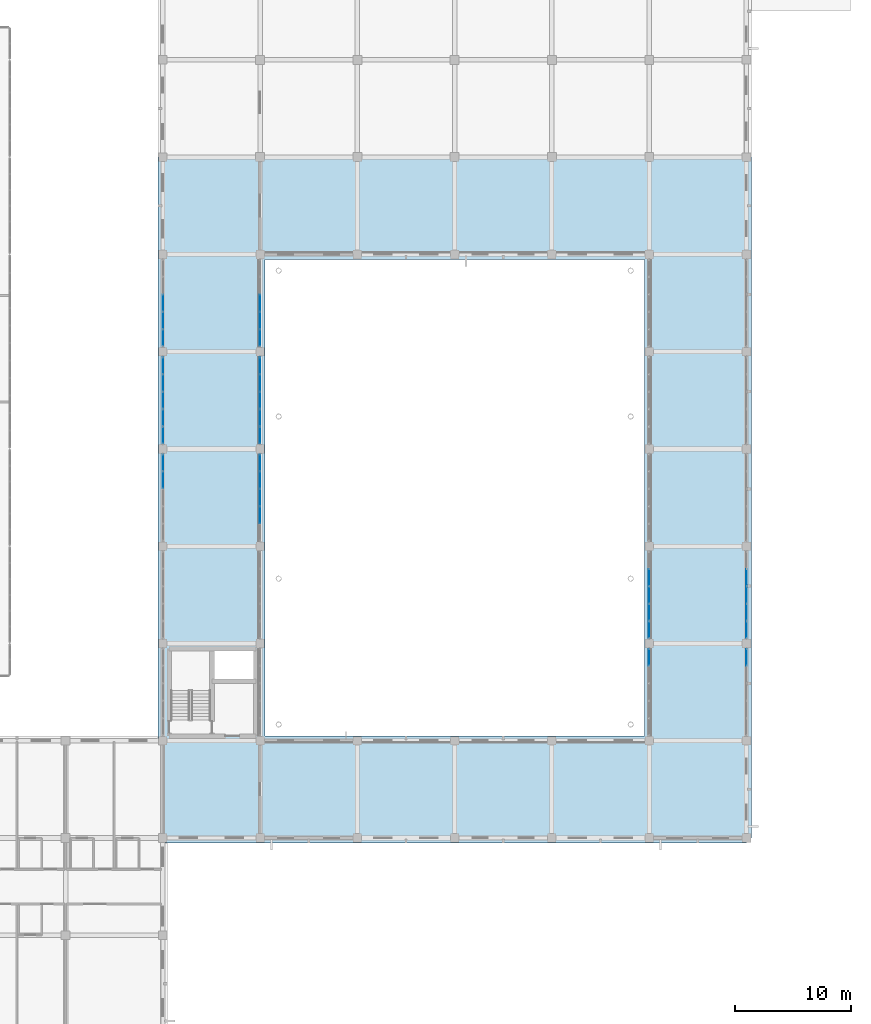
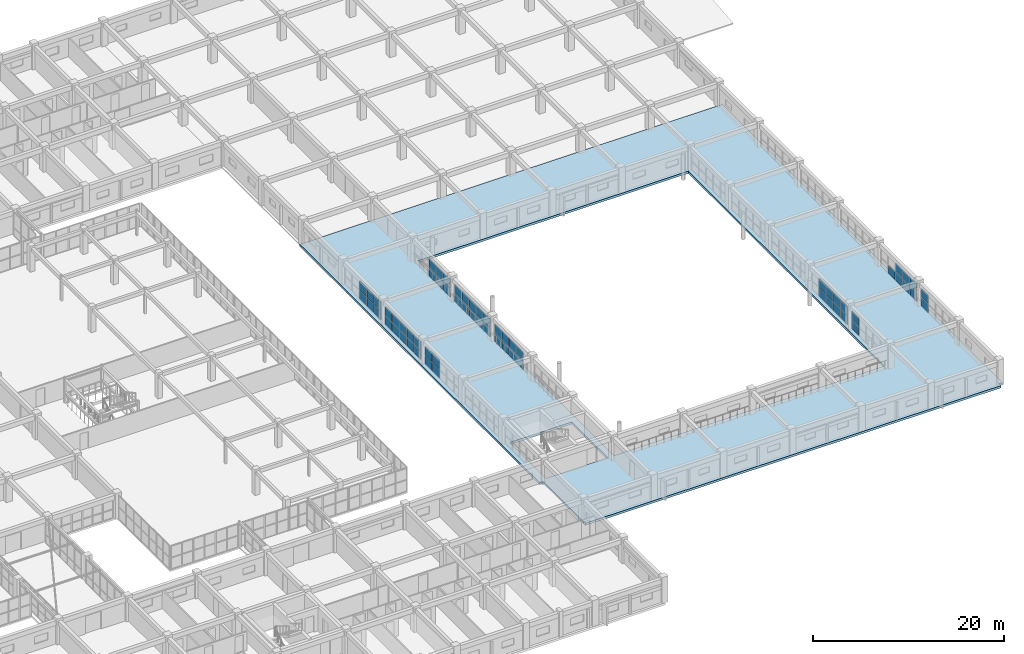
# One storey, part 158 of 200: 63 plates, 1 slab, 10 elements without a shape of their own.
"""IFC4 building model written with IfcOpenShell, lengths in metres."""

from ifc_helpers import new_model, si_unit, direction, frame, origin, origin_2d, place, context, subcontext, project, spatial, polyline, rectangle, outline, extrude, material, layer, layer_set, type_object, element, aggregate, save


model = new_model("IFC4")

# Units and contexts
model_context = context("Model", 3, precision=1e-05, world=origin(), true_north=direction((0.0, 1.0)))
body_context = subcontext(model_context, "Body", "Model", "MODEL_VIEW")
ifc_project = project(units=[si_unit("LENGTHUNIT", "METRE"), si_unit("AREAUNIT", "SQUARE_METRE"), si_unit("VOLUMEUNIT", "CUBIC_METRE"), si_unit("PLANEANGLEUNIT", "RADIAN"), si_unit("MASSUNIT", "GRAM", prefix="KILO")], contexts=[model_context])

# Site, building, storey
site_placement = place(None, origin())
site = spatial("IfcSite", under=ifc_project, at=site_placement, CompositionType="ELEMENT")
building_placement = place(site_placement, origin())
building = spatial("IfcBuilding", under=site, at=building_placement, Name="Trelvath General Hospital", CompositionType="ELEMENT")
storey_placement = place(building_placement, frame((0.0, 0.0, 4.800048828125)))
storey = spatial("IfcBuildingStorey", under=building, at=storey_placement, Name="L01", CompositionType="ELEMENT", Elevation=4.800048828125)

# Curtain wall, plates
ifc_material_1 = material(Name="Anodised aluminium and low-E glass", Category="aluminium")
ifc_layer_1 = layer(ifc_material_1, 0.179931640625)
ifc_layer_set_1 = layer_set([ifc_layer_1], Name="Anodised aluminium and low-E glass")
curtain_wall_type = type_object("IfcCurtainWallType", Name="CW Facade 754 242 18", PredefinedType="USERDEFINED", material=ifc_layer_set_1)
curtain_wall_1_placement = place(storey_placement, origin())
curtain_wall_1 = element("IfcCurtainWall", 1, at=curtain_wall_1_placement, inside=storey, type_object=curtain_wall_type, Name="Facade Curtain Wall CW-024", ObjectType="Unitised Glazed Curtain Wall", PredefinedType="USERDEFINED")
ifc_material_2 = material(Name="Low-E laminated glass", Category="glass")
ifc_layer_2 = layer(ifc_material_2, 0.035888671875)
ifc_layer_set_2 = layer_set([ifc_layer_2], Name="Low-E laminated glass")
plate_type = type_object("IfcPlateType", Name="CurtainPanel Glass36", PredefinedType="CURTAIN_PANEL", material=ifc_layer_set_2)
plate_1_placement = place(storey_placement, frame((134.39990234375, 47.7080078125, 0.06494140625), z_axis=(0.0, 0.0, 1.0), x_axis=(0.0, 1.0, 0.0)))
plate_1 = element("IfcPlate", 2, at=plate_1_placement, type_object=plate_type, Name="CW-024 panel 4.1", PredefinedType="CURTAIN_PANEL", context=body_context, shape_type="SweptSolid", body=[
    extrude(rectangle(XDim=1.443115234375, YDim=0.035888671875, at=origin_2d()), origin(), (0.0, 0.0, 1.0), 1.064453125),
])
plate_2_placement = place(storey_placement, frame((134.39990234375, 47.7080078125, 1.1943359375), z_axis=(0.0, 0.0, 1.0), x_axis=(0.0, 1.0, 0.0)))
plate_2 = element("IfcPlate", 3, at=plate_2_placement, type_object=plate_type, Name="CW-024 panel 4.2", PredefinedType="CURTAIN_PANEL", context=body_context, shape_type="SweptSolid", body=[
    extrude(rectangle(XDim=1.443115234375, YDim=0.035888671875, at=origin_2d()), origin(), (0.0, 0.0, 1.0), 1.160400390625),
])
plate_3_placement = place(storey_placement, frame((134.39990234375, 49.19970703125, 0.06494140625), z_axis=(0.0, 0.0, 1.0), x_axis=(0.0, 1.0, 0.0)))
plate_3 = element("IfcPlate", 4, at=plate_3_placement, type_object=plate_type, Name="CW-024 panel 5.1", PredefinedType="CURTAIN_PANEL", context=body_context, shape_type="SweptSolid", body=[
    extrude(rectangle(XDim=1.410400390625, YDim=0.035888671875, at=origin_2d()), origin(), (0.0, 0.0, 1.0), 1.064453125),
])
plate_4_placement = place(storey_placement, frame((134.39990234375, 49.19970703125, 1.1943359375), z_axis=(0.0, 0.0, 1.0), x_axis=(0.0, 1.0, 0.0)))
plate_4 = element("IfcPlate", 5, at=plate_4_placement, type_object=plate_type, Name="CW-024 panel 5.2", PredefinedType="CURTAIN_PANEL", context=body_context, shape_type="SweptSolid", body=[
    extrude(rectangle(XDim=1.410400390625, YDim=0.035888671875, at=origin_2d()), origin(), (0.0, 0.0, 1.0), 1.160400390625),
])
aggregate(curtain_wall_1, [plate_1, plate_2, plate_3, plate_4])

curtain_wall_2_placement = place(storey_placement, origin())
curtain_wall_2 = element("IfcCurtainWall", 6, at=curtain_wall_2_placement, inside=storey, type_object=curtain_wall_type, Name="Facade Curtain Wall CW-025", ObjectType="Unitised Glazed Curtain Wall", PredefinedType="USERDEFINED")
plate_5_placement = place(storey_placement, frame((142.800048828125, 49.19970703125, 0.06494140625), z_axis=(0.0, 0.0, 1.0), x_axis=(0.0, -1.0, 0.0)))
plate_5 = element("IfcPlate", 7, at=plate_5_placement, type_object=plate_type, Name="CW-025 panel 1.1", PredefinedType="CURTAIN_PANEL", context=body_context, shape_type="SweptSolid", body=[
    extrude(rectangle(XDim=1.410400390625, YDim=0.035888671875, at=origin_2d()), origin(), (0.0, 0.0, 1.0), 1.064453125),
])
plate_6_placement = place(storey_placement, frame((142.800048828125, 49.19970703125, 1.1943359375), z_axis=(0.0, 0.0, 1.0), x_axis=(0.0, -1.0, 0.0)))
plate_6 = element("IfcPlate", 8, at=plate_6_placement, type_object=plate_type, Name="CW-025 panel 1.2", PredefinedType="CURTAIN_PANEL", context=body_context, shape_type="SweptSolid", body=[
    extrude(rectangle(XDim=1.410400390625, YDim=0.035888671875, at=origin_2d()), origin(), (0.0, 0.0, 1.0), 1.160400390625),
])
plate_7_placement = place(storey_placement, frame((142.800048828125, 47.7080078125, 0.06494140625), z_axis=(0.0, 0.0, 1.0), x_axis=(0.0, -1.0, 0.0)))
plate_7 = element("IfcPlate", 9, at=plate_7_placement, type_object=plate_type, Name="CW-025 panel 2.1", PredefinedType="CURTAIN_PANEL", context=body_context, shape_type="SweptSolid", body=[
    extrude(rectangle(XDim=1.443115234375, YDim=0.035888671875, at=origin_2d()), origin(), (0.0, 0.0, 1.0), 1.064453125),
])
plate_8_placement = place(storey_placement, frame((142.800048828125, 47.7080078125, 1.1943359375), z_axis=(0.0, 0.0, 1.0), x_axis=(0.0, -1.0, 0.0)))
plate_8 = element("IfcPlate", 10, at=plate_8_placement, type_object=plate_type, Name="CW-025 panel 2.2", PredefinedType="CURTAIN_PANEL", context=body_context, shape_type="SweptSolid", body=[
    extrude(rectangle(XDim=1.443115234375, YDim=0.035888671875, at=origin_2d()), origin(), (0.0, 0.0, 1.0), 1.160400390625),
])
plate_9_placement = place(storey_placement, frame((142.800048828125, 46.199951171875, 0.06494140625), z_axis=(0.0, 0.0, 1.0), x_axis=(0.0, -1.0, 0.0)))
plate_9 = element("IfcPlate", 11, at=plate_9_placement, type_object=plate_type, Name="CW-025 panel 3.1", PredefinedType="CURTAIN_PANEL", context=body_context, shape_type="SweptSolid", body=[
    extrude(rectangle(XDim=1.443115234375, YDim=0.035888671875, at=origin_2d()), origin(), (0.0, 0.0, 1.0), 1.064453125),
])
plate_10_placement = place(storey_placement, frame((142.800048828125, 46.199951171875, 1.1943359375), z_axis=(0.0, 0.0, 1.0), x_axis=(0.0, -1.0, 0.0)))
plate_10 = element("IfcPlate", 12, at=plate_10_placement, type_object=plate_type, Name="CW-025 panel 3.2", PredefinedType="CURTAIN_PANEL", context=body_context, shape_type="SweptSolid", body=[
    extrude(rectangle(XDim=1.443115234375, YDim=0.035888671875, at=origin_2d()), origin(), (0.0, 0.0, 1.0), 1.160400390625),
])
plate_11_placement = place(storey_placement, frame((142.800048828125, 44.69189453125, 0.06494140625), z_axis=(0.0, 0.0, 1.0), x_axis=(0.0, -1.0, 0.0)))
plate_11 = element("IfcPlate", 13, at=plate_11_placement, type_object=plate_type, Name="CW-025 panel 4.1", PredefinedType="CURTAIN_PANEL", context=body_context, shape_type="SweptSolid", body=[
    extrude(rectangle(XDim=1.443115234375, YDim=0.035888671875, at=origin_2d()), origin(), (0.0, 0.0, 1.0), 1.064453125),
])
plate_12_placement = place(storey_placement, frame((142.800048828125, 44.69189453125, 1.1943359375), z_axis=(0.0, 0.0, 1.0), x_axis=(0.0, -1.0, 0.0)))
plate_12 = element("IfcPlate", 14, at=plate_12_placement, type_object=plate_type, Name="CW-025 panel 4.2", PredefinedType="CURTAIN_PANEL", context=body_context, shape_type="SweptSolid", body=[
    extrude(rectangle(XDim=1.443115234375, YDim=0.035888671875, at=origin_2d()), origin(), (0.0, 0.0, 1.0), 1.160400390625),
])
aggregate(curtain_wall_2, [plate_5, plate_6, plate_7, plate_8, plate_9, plate_10, plate_11, plate_12])

curtain_wall_3_placement = place(storey_placement, origin())
curtain_wall_3 = element("IfcCurtainWall", 15, at=curtain_wall_3_placement, inside=storey, type_object=curtain_wall_type, Name="Facade Curtain Wall CW-026", ObjectType="Unitised Glazed Curtain Wall", PredefinedType="USERDEFINED")
plate_13_placement = place(storey_placement, frame((134.39990234375, 51.600341796875, 0.06494140625), z_axis=(0.0, 0.0, 1.0), x_axis=(0.0, 1.0, 0.0)))
plate_13 = element("IfcPlate", 16, at=plate_13_placement, type_object=plate_type, Name="CW-026 panel 1.1", PredefinedType="CURTAIN_PANEL", context=body_context, shape_type="SweptSolid", body=[
    extrude(rectangle(XDim=1.410400390625, YDim=0.035888671875, at=origin_2d()), origin(), (0.0, 0.0, 1.0), 1.064453125),
])
plate_14_placement = place(storey_placement, frame((134.39990234375, 51.600341796875, 1.1943359375), z_axis=(0.0, 0.0, 1.0), x_axis=(0.0, 1.0, 0.0)))
plate_14 = element("IfcPlate", 17, at=plate_14_placement, type_object=plate_type, Name="CW-026 panel 1.2", PredefinedType="CURTAIN_PANEL", context=body_context, shape_type="SweptSolid", body=[
    extrude(rectangle(XDim=1.410400390625, YDim=0.035888671875, at=origin_2d()), origin(), (0.0, 0.0, 1.0), 1.160400390625),
])
plate_15_placement = place(storey_placement, frame((134.39990234375, 53.092041015625, 0.06494140625), z_axis=(0.0, 0.0, 1.0), x_axis=(0.0, 1.0, 0.0)))
plate_15 = element("IfcPlate", 18, at=plate_15_placement, type_object=plate_type, Name="CW-026 panel 2.1", PredefinedType="CURTAIN_PANEL", context=body_context, shape_type="SweptSolid", body=[
    extrude(rectangle(XDim=1.443115234375, YDim=0.035888671875, at=origin_2d()), origin(), (0.0, 0.0, 1.0), 1.064453125),
])
plate_16_placement = place(storey_placement, frame((134.39990234375, 53.092041015625, 1.1943359375), z_axis=(0.0, 0.0, 1.0), x_axis=(0.0, 1.0, 0.0)))
plate_16 = element("IfcPlate", 19, at=plate_16_placement, type_object=plate_type, Name="CW-026 panel 2.2", PredefinedType="CURTAIN_PANEL", context=body_context, shape_type="SweptSolid", body=[
    extrude(rectangle(XDim=1.443115234375, YDim=0.035888671875, at=origin_2d()), origin(), (0.0, 0.0, 1.0), 1.160400390625),
])
plate_17_placement = place(storey_placement, frame((134.39990234375, 54.60009765625, 0.06494140625), z_axis=(0.0, 0.0, 1.0), x_axis=(0.0, 1.0, 0.0)))
plate_17 = element("IfcPlate", 20, at=plate_17_placement, type_object=plate_type, Name="CW-026 panel 3.1", PredefinedType="CURTAIN_PANEL", context=body_context, shape_type="SweptSolid", body=[
    extrude(rectangle(XDim=1.443115234375, YDim=0.035888671875, at=origin_2d()), origin(), (0.0, 0.0, 1.0), 1.064453125),
])
plate_18_placement = place(storey_placement, frame((134.39990234375, 54.60009765625, 1.1943359375), z_axis=(0.0, 0.0, 1.0), x_axis=(0.0, 1.0, 0.0)))
plate_18 = element("IfcPlate", 21, at=plate_18_placement, type_object=plate_type, Name="CW-026 panel 3.2", PredefinedType="CURTAIN_PANEL", context=body_context, shape_type="SweptSolid", body=[
    extrude(rectangle(XDim=1.443115234375, YDim=0.035888671875, at=origin_2d()), origin(), (0.0, 0.0, 1.0), 1.160400390625),
])
plate_19_placement = place(storey_placement, frame((134.39990234375, 56.10791015625, 0.06494140625), z_axis=(0.0, 0.0, 1.0), x_axis=(0.0, 1.0, 0.0)))
plate_19 = element("IfcPlate", 22, at=plate_19_placement, type_object=plate_type, Name="CW-026 panel 4.1", PredefinedType="CURTAIN_PANEL", context=body_context, shape_type="SweptSolid", body=[
    extrude(rectangle(XDim=1.443115234375, YDim=0.035888671875, at=origin_2d()), origin(), (0.0, 0.0, 1.0), 1.064453125),
])
plate_20_placement = place(storey_placement, frame((134.39990234375, 56.10791015625, 1.1943359375), z_axis=(0.0, 0.0, 1.0), x_axis=(0.0, 1.0, 0.0)))
plate_20 = element("IfcPlate", 23, at=plate_20_placement, type_object=plate_type, Name="CW-026 panel 4.2", PredefinedType="CURTAIN_PANEL", context=body_context, shape_type="SweptSolid", body=[
    extrude(rectangle(XDim=1.443115234375, YDim=0.035888671875, at=origin_2d()), origin(), (0.0, 0.0, 1.0), 1.160400390625),
])
plate_21_placement = place(storey_placement, frame((134.39990234375, 57.599853515625, 0.06494140625), z_axis=(0.0, 0.0, 1.0), x_axis=(0.0, 1.0, 0.0)))
plate_21 = element("IfcPlate", 24, at=plate_21_placement, type_object=plate_type, Name="CW-026 panel 5.1", PredefinedType="CURTAIN_PANEL", context=body_context, shape_type="SweptSolid", body=[
    extrude(rectangle(XDim=1.410400390625, YDim=0.035888671875, at=origin_2d()), origin(), (0.0, 0.0, 1.0), 1.064453125),
])
plate_22_placement = place(storey_placement, frame((134.39990234375, 57.599853515625, 1.1943359375), z_axis=(0.0, 0.0, 1.0), x_axis=(0.0, 1.0, 0.0)))
plate_22 = element("IfcPlate", 25, at=plate_22_placement, type_object=plate_type, Name="CW-026 panel 5.2", PredefinedType="CURTAIN_PANEL", context=body_context, shape_type="SweptSolid", body=[
    extrude(rectangle(XDim=1.410400390625, YDim=0.035888671875, at=origin_2d()), origin(), (0.0, 0.0, 1.0), 1.160400390625),
])
aggregate(curtain_wall_3, [plate_13, plate_14, plate_15, plate_16, plate_17, plate_18, plate_19, plate_20, plate_21, plate_22])

curtain_wall_4_placement = place(storey_placement, origin())
curtain_wall_4 = element("IfcCurtainWall", 26, at=curtain_wall_4_placement, inside=storey, type_object=curtain_wall_type, Name="Facade Curtain Wall CW-027", ObjectType="Unitised Glazed Curtain Wall", PredefinedType="USERDEFINED")
plate_23_placement = place(storey_placement, frame((142.800048828125, 57.599853515625, 0.06494140625), z_axis=(0.0, 0.0, 1.0), x_axis=(0.0, -1.0, 0.0)))
plate_23 = element("IfcPlate", 27, at=plate_23_placement, type_object=plate_type, Name="CW-027 panel 1.1", PredefinedType="CURTAIN_PANEL", context=body_context, shape_type="SweptSolid", body=[
    extrude(rectangle(XDim=1.410400390625, YDim=0.035888671875, at=origin_2d()), origin(), (0.0, 0.0, 1.0), 1.064453125),
])
plate_24_placement = place(storey_placement, frame((142.800048828125, 57.599853515625, 1.1943359375), z_axis=(0.0, 0.0, 1.0), x_axis=(0.0, -1.0, 0.0)))
plate_24 = element("IfcPlate", 28, at=plate_24_placement, type_object=plate_type, Name="CW-027 panel 1.2", PredefinedType="CURTAIN_PANEL", context=body_context, shape_type="SweptSolid", body=[
    extrude(rectangle(XDim=1.410400390625, YDim=0.035888671875, at=origin_2d()), origin(), (0.0, 0.0, 1.0), 1.160400390625),
])
plate_25_placement = place(storey_placement, frame((142.800048828125, 56.10791015625, 0.06494140625), z_axis=(0.0, 0.0, 1.0), x_axis=(0.0, -1.0, 0.0)))
plate_25 = element("IfcPlate", 29, at=plate_25_placement, type_object=plate_type, Name="CW-027 panel 2.1", PredefinedType="CURTAIN_PANEL", context=body_context, shape_type="SweptSolid", body=[
    extrude(rectangle(XDim=1.443115234375, YDim=0.035888671875, at=origin_2d()), origin(), (0.0, 0.0, 1.0), 1.064453125),
])
plate_26_placement = place(storey_placement, frame((142.800048828125, 56.10791015625, 1.1943359375), z_axis=(0.0, 0.0, 1.0), x_axis=(0.0, -1.0, 0.0)))
plate_26 = element("IfcPlate", 30, at=plate_26_placement, type_object=plate_type, Name="CW-027 panel 2.2", PredefinedType="CURTAIN_PANEL", context=body_context, shape_type="SweptSolid", body=[
    extrude(rectangle(XDim=1.443115234375, YDim=0.035888671875, at=origin_2d()), origin(), (0.0, 0.0, 1.0), 1.160400390625),
])
plate_27_placement = place(storey_placement, frame((142.800048828125, 54.60009765625, 0.06494140625), z_axis=(0.0, 0.0, 1.0), x_axis=(0.0, -1.0, 0.0)))
plate_27 = element("IfcPlate", 31, at=plate_27_placement, type_object=plate_type, Name="CW-027 panel 3.1", PredefinedType="CURTAIN_PANEL", context=body_context, shape_type="SweptSolid", body=[
    extrude(rectangle(XDim=1.443115234375, YDim=0.035888671875, at=origin_2d()), origin(), (0.0, 0.0, 1.0), 1.064453125),
])
plate_28_placement = place(storey_placement, frame((142.800048828125, 54.60009765625, 1.1943359375), z_axis=(0.0, 0.0, 1.0), x_axis=(0.0, -1.0, 0.0)))
plate_28 = element("IfcPlate", 32, at=plate_28_placement, type_object=plate_type, Name="CW-027 panel 3.2", PredefinedType="CURTAIN_PANEL", context=body_context, shape_type="SweptSolid", body=[
    extrude(rectangle(XDim=1.443115234375, YDim=0.035888671875, at=origin_2d()), origin(), (0.0, 0.0, 1.0), 1.160400390625),
])
plate_29_placement = place(storey_placement, frame((142.800048828125, 53.092041015625, 0.06494140625), z_axis=(0.0, 0.0, 1.0), x_axis=(0.0, -1.0, 0.0)))
plate_29 = element("IfcPlate", 33, at=plate_29_placement, type_object=plate_type, Name="CW-027 panel 4.1", PredefinedType="CURTAIN_PANEL", context=body_context, shape_type="SweptSolid", body=[
    extrude(rectangle(XDim=1.443115234375, YDim=0.035888671875, at=origin_2d()), origin(), (0.0, 0.0, 1.0), 1.064453125),
])
plate_30_placement = place(storey_placement, frame((142.800048828125, 53.092041015625, 1.1943359375), z_axis=(0.0, 0.0, 1.0), x_axis=(0.0, -1.0, 0.0)))
plate_30 = element("IfcPlate", 34, at=plate_30_placement, type_object=plate_type, Name="CW-027 panel 4.2", PredefinedType="CURTAIN_PANEL", context=body_context, shape_type="SweptSolid", body=[
    extrude(rectangle(XDim=1.443115234375, YDim=0.035888671875, at=origin_2d()), origin(), (0.0, 0.0, 1.0), 1.160400390625),
])
plate_31_placement = place(storey_placement, frame((142.800048828125, 51.600341796875, 0.06494140625), z_axis=(0.0, 0.0, 1.0), x_axis=(0.0, -1.0, 0.0)))
plate_31 = element("IfcPlate", 35, at=plate_31_placement, type_object=plate_type, Name="CW-027 panel 5.1", PredefinedType="CURTAIN_PANEL", context=body_context, shape_type="SweptSolid", body=[
    extrude(rectangle(XDim=1.410400390625, YDim=0.035888671875, at=origin_2d()), origin(), (0.0, 0.0, 1.0), 1.064453125),
])
plate_32_placement = place(storey_placement, frame((142.800048828125, 51.600341796875, 1.1943359375), z_axis=(0.0, 0.0, 1.0), x_axis=(0.0, -1.0, 0.0)))
plate_32 = element("IfcPlate", 36, at=plate_32_placement, type_object=plate_type, Name="CW-027 panel 5.2", PredefinedType="CURTAIN_PANEL", context=body_context, shape_type="SweptSolid", body=[
    extrude(rectangle(XDim=1.410400390625, YDim=0.035888671875, at=origin_2d()), origin(), (0.0, 0.0, 1.0), 1.160400390625),
])
aggregate(curtain_wall_4, [plate_23, plate_24, plate_25, plate_26, plate_27, plate_28, plate_29, plate_30, plate_31, plate_32])

curtain_wall_5_placement = place(storey_placement, origin())
curtain_wall_5 = element("IfcCurtainWall", 37, at=curtain_wall_5_placement, inside=storey, type_object=curtain_wall_type, Name="Facade Curtain Wall CW-028", ObjectType="Unitised Glazed Curtain Wall", PredefinedType="USERDEFINED")
plate_33_placement = place(storey_placement, frame((134.39990234375, 60.000244140625, 0.06494140625), z_axis=(0.0, 0.0, 1.0), x_axis=(0.0, 1.0, 0.0)))
plate_33 = element("IfcPlate", 38, at=plate_33_placement, type_object=plate_type, Name="CW-028 panel 1.1", PredefinedType="CURTAIN_PANEL", context=body_context, shape_type="SweptSolid", body=[
    extrude(rectangle(XDim=1.410400390625, YDim=0.035888671875, at=origin_2d()), origin(), (0.0, 0.0, 1.0), 1.064453125),
])
plate_34_placement = place(storey_placement, frame((134.39990234375, 60.000244140625, 1.1943359375), z_axis=(0.0, 0.0, 1.0), x_axis=(0.0, 1.0, 0.0)))
plate_34 = element("IfcPlate", 39, at=plate_34_placement, type_object=plate_type, Name="CW-028 panel 1.2", PredefinedType="CURTAIN_PANEL", context=body_context, shape_type="SweptSolid", body=[
    extrude(rectangle(XDim=1.410400390625, YDim=0.035888671875, at=origin_2d()), origin(), (0.0, 0.0, 1.0), 1.160400390625),
])
plate_35_placement = place(storey_placement, frame((134.39990234375, 61.491943359375, 0.06494140625), z_axis=(0.0, 0.0, 1.0), x_axis=(0.0, 1.0, 0.0)))
plate_35 = element("IfcPlate", 40, at=plate_35_placement, type_object=plate_type, Name="CW-028 panel 2.1", PredefinedType="CURTAIN_PANEL", context=body_context, shape_type="SweptSolid", body=[
    extrude(rectangle(XDim=1.443115234375, YDim=0.035888671875, at=origin_2d()), origin(), (0.0, 0.0, 1.0), 1.064453125),
])
plate_36_placement = place(storey_placement, frame((134.39990234375, 61.491943359375, 1.1943359375), z_axis=(0.0, 0.0, 1.0), x_axis=(0.0, 1.0, 0.0)))
plate_36 = element("IfcPlate", 41, at=plate_36_placement, type_object=plate_type, Name="CW-028 panel 2.2", PredefinedType="CURTAIN_PANEL", context=body_context, shape_type="SweptSolid", body=[
    extrude(rectangle(XDim=1.443115234375, YDim=0.035888671875, at=origin_2d()), origin(), (0.0, 0.0, 1.0), 1.160400390625),
])
plate_37_placement = place(storey_placement, frame((134.39990234375, 63.0, 0.06494140625), z_axis=(0.0, 0.0, 1.0), x_axis=(0.0, 1.0, 0.0)))
plate_37 = element("IfcPlate", 42, at=plate_37_placement, type_object=plate_type, Name="CW-028 panel 3.1", PredefinedType="CURTAIN_PANEL", context=body_context, shape_type="SweptSolid", body=[
    extrude(rectangle(XDim=1.443115234375, YDim=0.035888671875, at=origin_2d()), origin(), (0.0, 0.0, 1.0), 1.064453125),
])
plate_38_placement = place(storey_placement, frame((134.39990234375, 63.0, 1.1943359375), z_axis=(0.0, 0.0, 1.0), x_axis=(0.0, 1.0, 0.0)))
plate_38 = element("IfcPlate", 43, at=plate_38_placement, type_object=plate_type, Name="CW-028 panel 3.2", PredefinedType="CURTAIN_PANEL", context=body_context, shape_type="SweptSolid", body=[
    extrude(rectangle(XDim=1.443115234375, YDim=0.035888671875, at=origin_2d()), origin(), (0.0, 0.0, 1.0), 1.160400390625),
])
aggregate(curtain_wall_5, [plate_33, plate_34, plate_35, plate_36, plate_37, plate_38])

curtain_wall_6_placement = place(storey_placement, origin())
curtain_wall_6 = element("IfcCurtainWall", 44, at=curtain_wall_6_placement, inside=storey, type_object=curtain_wall_type, Name="Facade Curtain Wall CW-029", ObjectType="Unitised Glazed Curtain Wall", PredefinedType="USERDEFINED")
plate_39_placement = place(storey_placement, frame((142.800048828125, 63.0, 0.06494140625), z_axis=(0.0, 0.0, 1.0), x_axis=(0.0, -1.0, 0.0)))
plate_39 = element("IfcPlate", 45, at=plate_39_placement, type_object=plate_type, Name="CW-029 panel 3.1", PredefinedType="CURTAIN_PANEL", context=body_context, shape_type="SweptSolid", body=[
    extrude(rectangle(XDim=1.443115234375, YDim=0.035888671875, at=origin_2d()), origin(), (0.0, 0.0, 1.0), 1.064453125),
])
plate_40_placement = place(storey_placement, frame((142.800048828125, 63.0, 1.1943359375), z_axis=(0.0, 0.0, 1.0), x_axis=(0.0, -1.0, 0.0)))
plate_40 = element("IfcPlate", 46, at=plate_40_placement, type_object=plate_type, Name="CW-029 panel 3.2", PredefinedType="CURTAIN_PANEL", context=body_context, shape_type="SweptSolid", body=[
    extrude(rectangle(XDim=1.443115234375, YDim=0.035888671875, at=origin_2d()), origin(), (0.0, 0.0, 1.0), 1.160400390625),
])
plate_41_placement = place(storey_placement, frame((142.800048828125, 61.491943359375, 0.06494140625), z_axis=(0.0, 0.0, 1.0), x_axis=(0.0, -1.0, 0.0)))
plate_41 = element("IfcPlate", 47, at=plate_41_placement, type_object=plate_type, Name="CW-029 panel 4.1", PredefinedType="CURTAIN_PANEL", context=body_context, shape_type="SweptSolid", body=[
    extrude(rectangle(XDim=1.443115234375, YDim=0.035888671875, at=origin_2d()), origin(), (0.0, 0.0, 1.0), 1.064453125),
])
plate_42_placement = place(storey_placement, frame((142.800048828125, 61.491943359375, 1.1943359375), z_axis=(0.0, 0.0, 1.0), x_axis=(0.0, -1.0, 0.0)))
plate_42 = element("IfcPlate", 48, at=plate_42_placement, type_object=plate_type, Name="CW-029 panel 4.2", PredefinedType="CURTAIN_PANEL", context=body_context, shape_type="SweptSolid", body=[
    extrude(rectangle(XDim=1.443115234375, YDim=0.035888671875, at=origin_2d()), origin(), (0.0, 0.0, 1.0), 1.160400390625),
])
plate_43_placement = place(storey_placement, frame((142.800048828125, 60.000244140625, 0.06494140625), z_axis=(0.0, 0.0, 1.0), x_axis=(0.0, -1.0, 0.0)))
plate_43 = element("IfcPlate", 49, at=plate_43_placement, type_object=plate_type, Name="CW-029 panel 5.1", PredefinedType="CURTAIN_PANEL", context=body_context, shape_type="SweptSolid", body=[
    extrude(rectangle(XDim=1.410400390625, YDim=0.035888671875, at=origin_2d()), origin(), (0.0, 0.0, 1.0), 1.064453125),
])
plate_44_placement = place(storey_placement, frame((142.800048828125, 60.000244140625, 1.1943359375), z_axis=(0.0, 0.0, 1.0), x_axis=(0.0, -1.0, 0.0)))
plate_44 = element("IfcPlate", 50, at=plate_44_placement, type_object=plate_type, Name="CW-029 panel 5.2", PredefinedType="CURTAIN_PANEL", context=body_context, shape_type="SweptSolid", body=[
    extrude(rectangle(XDim=1.410400390625, YDim=0.035888671875, at=origin_2d()), origin(), (0.0, 0.0, 1.0), 1.160400390625),
])
aggregate(curtain_wall_6, [plate_39, plate_40, plate_41, plate_42, plate_43, plate_44])

curtain_wall_7_placement = place(storey_placement, origin())
curtain_wall_7 = element("IfcCurtainWall", 51, at=curtain_wall_7_placement, inside=storey, type_object=curtain_wall_type, Name="Facade Curtain Wall CW-030", ObjectType="Unitised Glazed Curtain Wall", PredefinedType="USERDEFINED")
plate_45_placement = place(storey_placement, frame((176.39990234375, 32.399658203125, 0.06494140625), z_axis=(0.0, 0.0, 1.0), x_axis=(0.0, 1.0, 0.0)))
plate_45 = element("IfcPlate", 52, at=plate_45_placement, type_object=plate_type, Name="CW-030 panel 5.1", PredefinedType="CURTAIN_PANEL", context=body_context, shape_type="SweptSolid", body=[
    extrude(rectangle(XDim=1.410400390625, YDim=0.035888671875, at=origin_2d()), origin(), (0.0, 0.0, 1.0), 1.064453125),
])
plate_46_placement = place(storey_placement, frame((176.39990234375, 32.399658203125, 1.1943359375), z_axis=(0.0, 0.0, 1.0), x_axis=(0.0, 1.0, 0.0)))
plate_46 = element("IfcPlate", 53, at=plate_46_placement, type_object=plate_type, Name="CW-030 panel 5.2", PredefinedType="CURTAIN_PANEL", context=body_context, shape_type="SweptSolid", body=[
    extrude(rectangle(XDim=1.410400390625, YDim=0.035888671875, at=origin_2d()), origin(), (0.0, 0.0, 1.0), 1.160400390625),
])
aggregate(curtain_wall_7, [plate_45, plate_46])

curtain_wall_8_placement = place(storey_placement, origin())
curtain_wall_8 = element("IfcCurtainWall", 54, at=curtain_wall_8_placement, inside=storey, type_object=curtain_wall_type, Name="Facade Curtain Wall CW-031", ObjectType="Unitised Glazed Curtain Wall", PredefinedType="USERDEFINED")
plate_47_placement = place(storey_placement, frame((184.800048828125, 32.399658203125, 0.06494140625), z_axis=(0.0, 0.0, 1.0), x_axis=(0.0, -1.0, 0.0)))
plate_47 = element("IfcPlate", 55, at=plate_47_placement, type_object=plate_type, Name="CW-031 panel 1.1", PredefinedType="CURTAIN_PANEL", context=body_context, shape_type="SweptSolid", body=[
    extrude(rectangle(XDim=1.410400390625, YDim=0.035888671875, at=origin_2d()), origin(), (0.0, 0.0, 1.0), 1.064453125),
])
plate_48_placement = place(storey_placement, frame((184.800048828125, 32.399658203125, 1.1943359375), z_axis=(0.0, 0.0, 1.0), x_axis=(0.0, -1.0, 0.0)))
plate_48 = element("IfcPlate", 56, at=plate_48_placement, type_object=plate_type, Name="CW-031 panel 1.2", PredefinedType="CURTAIN_PANEL", context=body_context, shape_type="SweptSolid", body=[
    extrude(rectangle(XDim=1.410400390625, YDim=0.035888671875, at=origin_2d()), origin(), (0.0, 0.0, 1.0), 1.160400390625),
])
aggregate(curtain_wall_8, [plate_47, plate_48])

curtain_wall_9_placement = place(storey_placement, origin())
curtain_wall_9 = element("IfcCurtainWall", 57, at=curtain_wall_9_placement, inside=storey, type_object=curtain_wall_type, Name="Facade Curtain Wall CW-032", ObjectType="Unitised Glazed Curtain Wall", PredefinedType="USERDEFINED")
plate_49_placement = place(storey_placement, frame((176.39990234375, 34.80029296875, 0.06494140625), z_axis=(0.0, 0.0, 1.0), x_axis=(0.0, 1.0, 0.0)))
plate_49 = element("IfcPlate", 58, at=plate_49_placement, type_object=plate_type, Name="CW-032 panel 1.1", PredefinedType="CURTAIN_PANEL", context=body_context, shape_type="SweptSolid", body=[
    extrude(rectangle(XDim=1.410400390625, YDim=0.035888671875, at=origin_2d()), origin(), (0.0, 0.0, 1.0), 1.064453125),
])
plate_50_placement = place(storey_placement, frame((176.39990234375, 34.80029296875, 1.1943359375), z_axis=(0.0, 0.0, 1.0), x_axis=(0.0, 1.0, 0.0)))
plate_50 = element("IfcPlate", 59, at=plate_50_placement, type_object=plate_type, Name="CW-032 panel 1.2", PredefinedType="CURTAIN_PANEL", context=body_context, shape_type="SweptSolid", body=[
    extrude(rectangle(XDim=1.410400390625, YDim=0.035888671875, at=origin_2d()), origin(), (0.0, 0.0, 1.0), 1.160400390625),
])
plate_51_placement = place(storey_placement, frame((176.39990234375, 36.2919921875, 0.06494140625), z_axis=(0.0, 0.0, 1.0), x_axis=(0.0, 1.0, 0.0)))
plate_51 = element("IfcPlate", 60, at=plate_51_placement, type_object=plate_type, Name="CW-032 panel 2.1", PredefinedType="CURTAIN_PANEL", context=body_context, shape_type="SweptSolid", body=[
    extrude(rectangle(XDim=1.443115234375, YDim=0.035888671875, at=origin_2d()), origin(), (0.0, 0.0, 1.0), 1.064453125),
])
plate_52_placement = place(storey_placement, frame((176.39990234375, 36.2919921875, 1.1943359375), z_axis=(0.0, 0.0, 1.0), x_axis=(0.0, 1.0, 0.0)))
plate_52 = element("IfcPlate", 61, at=plate_52_placement, type_object=plate_type, Name="CW-032 panel 2.2", PredefinedType="CURTAIN_PANEL", context=body_context, shape_type="SweptSolid", body=[
    extrude(rectangle(XDim=1.443115234375, YDim=0.035888671875, at=origin_2d()), origin(), (0.0, 0.0, 1.0), 1.160400390625),
])
plate_53_placement = place(storey_placement, frame((176.39990234375, 37.800048828125, 0.06494140625), z_axis=(0.0, 0.0, 1.0), x_axis=(0.0, 1.0, 0.0)))
plate_53 = element("IfcPlate", 62, at=plate_53_placement, type_object=plate_type, Name="CW-032 panel 3.1", PredefinedType="CURTAIN_PANEL", context=body_context, shape_type="SweptSolid", body=[
    extrude(rectangle(XDim=1.443115234375, YDim=0.035888671875, at=origin_2d()), origin(), (0.0, 0.0, 1.0), 1.064453125),
])
plate_54_placement = place(storey_placement, frame((176.39990234375, 37.800048828125, 1.1943359375), z_axis=(0.0, 0.0, 1.0), x_axis=(0.0, 1.0, 0.0)))
plate_54 = element("IfcPlate", 63, at=plate_54_placement, type_object=plate_type, Name="CW-032 panel 3.2", PredefinedType="CURTAIN_PANEL", context=body_context, shape_type="SweptSolid", body=[
    extrude(rectangle(XDim=1.443115234375, YDim=0.035888671875, at=origin_2d()), origin(), (0.0, 0.0, 1.0), 1.160400390625),
])
plate_55_placement = place(storey_placement, frame((176.39990234375, 39.30810546875, 0.06494140625), z_axis=(0.0, 0.0, 1.0), x_axis=(0.0, 1.0, 0.0)))
plate_55 = element("IfcPlate", 64, at=plate_55_placement, type_object=plate_type, Name="CW-032 panel 4.1", PredefinedType="CURTAIN_PANEL", context=body_context, shape_type="SweptSolid", body=[
    extrude(rectangle(XDim=1.443115234375, YDim=0.035888671875, at=origin_2d()), origin(), (0.0, 0.0, 1.0), 1.064453125),
])
plate_56_placement = place(storey_placement, frame((176.39990234375, 39.30810546875, 1.1943359375), z_axis=(0.0, 0.0, 1.0), x_axis=(0.0, 1.0, 0.0)))
plate_56 = element("IfcPlate", 65, at=plate_56_placement, type_object=plate_type, Name="CW-032 panel 4.2", PredefinedType="CURTAIN_PANEL", context=body_context, shape_type="SweptSolid", body=[
    extrude(rectangle(XDim=1.443115234375, YDim=0.035888671875, at=origin_2d()), origin(), (0.0, 0.0, 1.0), 1.160400390625),
])
aggregate(curtain_wall_9, [plate_49, plate_50, plate_51, plate_52, plate_53, plate_54, plate_55, plate_56])

curtain_wall_10_placement = place(storey_placement, origin())
curtain_wall_10 = element("IfcCurtainWall", 66, at=curtain_wall_10_placement, inside=storey, type_object=curtain_wall_type, Name="Facade Curtain Wall CW-033", ObjectType="Unitised Glazed Curtain Wall", PredefinedType="USERDEFINED")
plate_57_placement = place(storey_placement, frame((184.800048828125, 39.30810546875, 0.06494140625), z_axis=(0.0, 0.0, 1.0), x_axis=(0.0, -1.0, 0.0)))
plate_57 = element("IfcPlate", 67, at=plate_57_placement, type_object=plate_type, Name="CW-033 panel 2.1", PredefinedType="CURTAIN_PANEL", context=body_context, shape_type="SweptSolid", body=[
    extrude(rectangle(XDim=1.443115234375, YDim=0.035888671875, at=origin_2d()), origin(), (0.0, 0.0, 1.0), 1.064453125),
])
plate_58_placement = place(storey_placement, frame((184.800048828125, 37.800048828125, 0.06494140625), z_axis=(0.0, 0.0, 1.0), x_axis=(0.0, -1.0, 0.0)))
plate_58 = element("IfcPlate", 68, at=plate_58_placement, type_object=plate_type, Name="CW-033 panel 3.1", PredefinedType="CURTAIN_PANEL", context=body_context, shape_type="SweptSolid", body=[
    extrude(rectangle(XDim=1.443115234375, YDim=0.035888671875, at=origin_2d()), origin(), (0.0, 0.0, 1.0), 1.064453125),
])
plate_59_placement = place(storey_placement, frame((184.800048828125, 37.800048828125, 1.1943359375), z_axis=(0.0, 0.0, 1.0), x_axis=(0.0, -1.0, 0.0)))
plate_59 = element("IfcPlate", 69, at=plate_59_placement, type_object=plate_type, Name="CW-033 panel 3.2", PredefinedType="CURTAIN_PANEL", context=body_context, shape_type="SweptSolid", body=[
    extrude(rectangle(XDim=1.443115234375, YDim=0.035888671875, at=origin_2d()), origin(), (0.0, 0.0, 1.0), 1.160400390625),
])
plate_60_placement = place(storey_placement, frame((184.800048828125, 36.2919921875, 0.06494140625), z_axis=(0.0, 0.0, 1.0), x_axis=(0.0, -1.0, 0.0)))
plate_60 = element("IfcPlate", 70, at=plate_60_placement, type_object=plate_type, Name="CW-033 panel 4.1", PredefinedType="CURTAIN_PANEL", context=body_context, shape_type="SweptSolid", body=[
    extrude(rectangle(XDim=1.443115234375, YDim=0.035888671875, at=origin_2d()), origin(), (0.0, 0.0, 1.0), 1.064453125),
])
plate_61_placement = place(storey_placement, frame((184.800048828125, 36.2919921875, 1.1943359375), z_axis=(0.0, 0.0, 1.0), x_axis=(0.0, -1.0, 0.0)))
plate_61 = element("IfcPlate", 71, at=plate_61_placement, type_object=plate_type, Name="CW-033 panel 4.2", PredefinedType="CURTAIN_PANEL", context=body_context, shape_type="SweptSolid", body=[
    extrude(rectangle(XDim=1.443115234375, YDim=0.035888671875, at=origin_2d()), origin(), (0.0, 0.0, 1.0), 1.160400390625),
])
plate_62_placement = place(storey_placement, frame((184.800048828125, 34.80029296875, 0.06494140625), z_axis=(0.0, 0.0, 1.0), x_axis=(0.0, -1.0, 0.0)))
plate_62 = element("IfcPlate", 72, at=plate_62_placement, type_object=plate_type, Name="CW-033 panel 5.1", PredefinedType="CURTAIN_PANEL", context=body_context, shape_type="SweptSolid", body=[
    extrude(rectangle(XDim=1.410400390625, YDim=0.035888671875, at=origin_2d()), origin(), (0.0, 0.0, 1.0), 1.064453125),
])
plate_63_placement = place(storey_placement, frame((184.800048828125, 34.80029296875, 1.1943359375), z_axis=(0.0, 0.0, 1.0), x_axis=(0.0, -1.0, 0.0)))
plate_63 = element("IfcPlate", 73, at=plate_63_placement, type_object=plate_type, Name="CW-033 panel 5.2", PredefinedType="CURTAIN_PANEL", context=body_context, shape_type="SweptSolid", body=[
    extrude(rectangle(XDim=1.410400390625, YDim=0.035888671875, at=origin_2d()), origin(), (0.0, 0.0, 1.0), 1.160400390625),
])
aggregate(curtain_wall_10, [plate_57, plate_58, plate_59, plate_60, plate_61, plate_62, plate_63])

# Slab
ifc_material_3 = material(Name="Concrete C35/45", Category="concrete")
ifc_layer_3 = layer(ifc_material_3, 0.280029296875)
ifc_layer_set_3 = layer_set([ifc_layer_3], Name="Concrete C35/45")
slab_type = type_object("IfcSlabType", Name="FlatSlab Clinical280", PredefinedType="FLOOR", material=ifc_layer_set_3)
slab_placement = place(storey_placement, frame((0.0, 0.0, -0.280029296875)))
element("IfcSlab", 74, at=slab_placement, inside=storey, type_object=slab_type, Name="Floor Slab SL-L01-V1-M1", PredefinedType="FLOOR", context=body_context, shape_type="SweptSolid", body=[
    extrude(outline(polyline([(133.97998046875, 25.219970703125), (133.97998046875, 75.60009765625), (134.3798828125, 75.60009765625), (134.3798828125, 75.580078125), (134.39990234375, 75.60009765625), (184.800048828125, 75.60009765625), (184.800048828125, 75.580078125), (184.820068359375, 75.60009765625), (185.219970703125, 75.60009765625), (185.219970703125, 16.800048828125), (184.800048828125, 16.800048828125), (184.800048828125, 16.3798828125), (134.419921875, 16.3798828125), (134.419921875, 16.800048828125), (134.39990234375, 16.800048828125), (134.39990234375, 25.219970703125), (133.97998046875, 25.219970703125)]), holes=[polyline([(143.219970703125, 66.780029296875), (143.219970703125, 25.6201171875), (175.97998046875, 25.6201171875), (175.97998046875, 66.780029296875), (143.219970703125, 66.780029296875)]), polyline([(134.949951171875, 25.60009765625), (142.449951171875, 25.60009765625), (142.449951171875, 33.14990234375), (134.949951171875, 33.14990234375), (134.949951171875, 25.60009765625)])]), origin(), (0.0, 0.0, 1.0), 0.280029296875),
])

save(model, "model.ifc")
